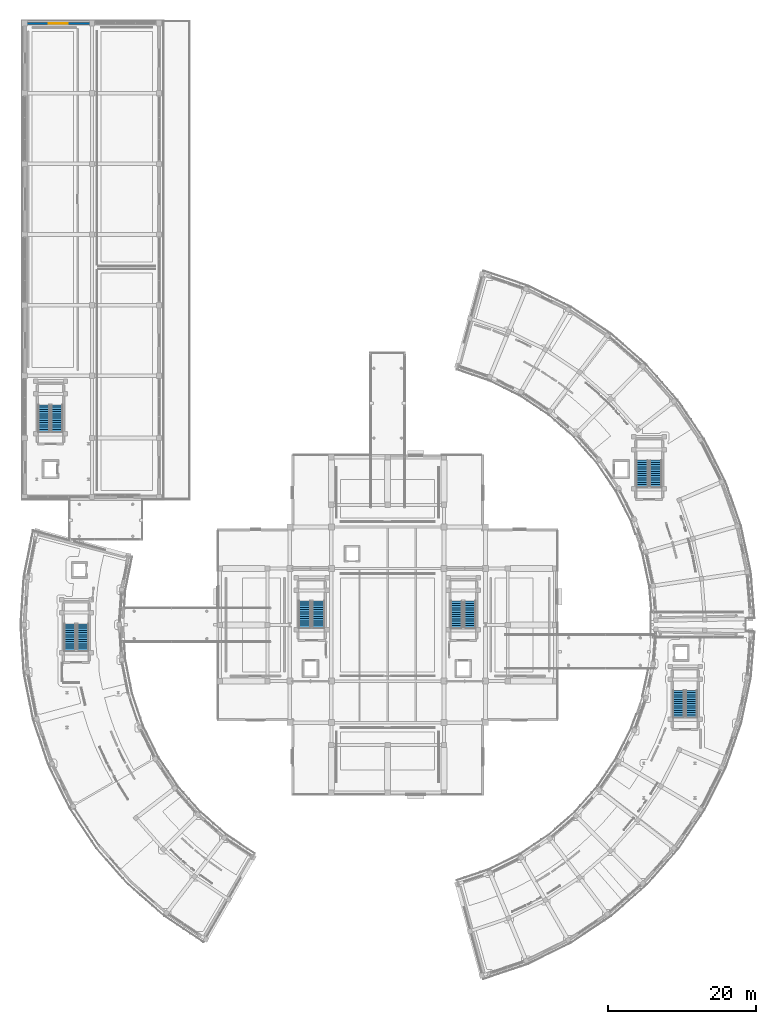
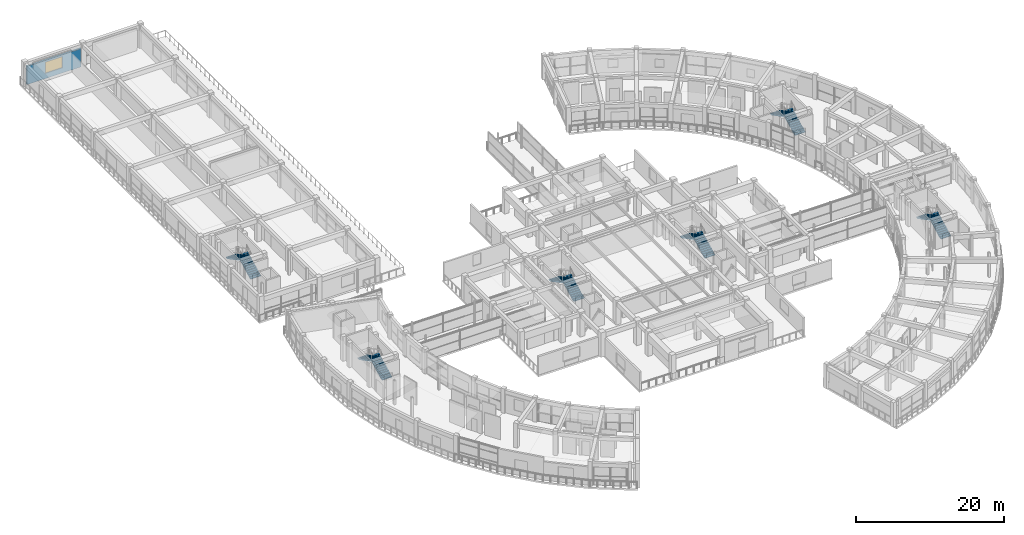
# One storey, part 54 of 70: 12 stair flights, 1 wall, 1 window, 1 opening, 6 elements without a shape of their own.
"""IFC4 building model written with IfcOpenShell, lengths in metres."""

from ifc_helpers import new_model, si_unit, direction, frame, frame_2d, origin, place, context, subcontext, project, spatial, polyline, rectangle, outline, extrude, material, layer, layer_set, type_object, element, fill, aggregate, save


model = new_model("IFC4")

# Units and contexts
model_context = context("Model", 3, precision=1e-05, world=origin(), true_north=direction((0.0, 1.0)))
body_context = subcontext(model_context, "Body", "Model", "MODEL_VIEW")
ifc_project = project(units=[si_unit("LENGTHUNIT", "METRE"), si_unit("AREAUNIT", "SQUARE_METRE"), si_unit("VOLUMEUNIT", "CUBIC_METRE"), si_unit("PLANEANGLEUNIT", "RADIAN"), si_unit("MASSUNIT", "GRAM", prefix="KILO")], contexts=[model_context])

# Site, building, storey
site_placement = place(None, origin())
site = spatial("IfcSite", under=ifc_project, at=site_placement, CompositionType="ELEMENT")
building_placement = place(site_placement, origin())
building = spatial("IfcBuilding", under=site, at=building_placement, Name="Saryqyr Civic Hall", CompositionType="ELEMENT")
storey_placement = place(building_placement, frame((0.0, 0.0, 13.199951171875)))
storey = spatial("IfcBuildingStorey", under=building, at=storey_placement, Name="L03", CompositionType="ELEMENT", Elevation=13.199951171875)

# Wall, opening, window
ifc_material_1 = material(Name="Precast concrete C40/50", Category="concrete")
ifc_layer = layer(ifc_material_1, 0.27001953125, Name="Precast concrete C40/50")
ifc_layer_set = layer_set([ifc_layer], Name="Precast concrete C40/50")
wall_type = type_object("IfcWallType", Name="ENV-WAL-EXT-270", PredefinedType="STANDARD", material=ifc_layer_set)
wall_placement = place(storey_placement, frame((8.3349609375, 165.14990234375, 0.0), z_axis=(0.0, 0.0, 1.0), x_axis=(1.0, 0.0, 0.0)))
wall = element("IfcWall", 1, at=wall_placement, inside=storey, type_object=wall_type, Name="Exterior wall V3-EW-L03-2-0", PredefinedType="STANDARD", context=body_context, shape_type="SweptSolid", body=[
    extrude(rectangle(XDim=8.47998046875, YDim=0.27001953125, at=frame_2d((4.239990234375, 0.0))), origin(), (0.0, 0.0, 1.0), 3.01513671875),
])
opening_placement = place(wall_placement, frame((2.93994140625, 0.0, 0.85009765625)))
opening = element("IfcOpeningElement", 2, at=opening_placement, cuts=wall, Name="Opening W-30", PredefinedType="OPENING", context=body_context, shape_type="SweptSolid", body=[
    extrude(rectangle(XDim=2.60009765625, YDim=1.85009765625, at=frame_2d((1.300048828125, 0.925048828125))), frame((0.0, 0.14501953125, 0.0), z_axis=(0.0, -1.0, 0.0), x_axis=(1.0, 0.0, 0.0)), (0.0, 0.0, 1.0), 0.2900390625),
])
ifc_material_2 = material(Name="Anodised aluminium and triple low-E glass", Category="aluminium")
window_type = type_object("IfcWindowType", Name="ENV-WIN-W30", PartitioningType="SINGLE_PANEL", PredefinedType="WINDOW", material=ifc_material_2)
window_placement = place(opening_placement, origin())
window = element("IfcWindow", 3, at=window_placement, inside=storey, type_object=window_type, Name="Library window L03-2-0", OverallHeight=1.85009765625, OverallWidth=2.60009765625, PartitioningType="SINGLE_PANEL", PredefinedType="WINDOW", context=body_context, shape_type="SweptSolid", body=[
    extrude(rectangle(XDim=2.60009765625, YDim=1.85009765625, at=frame_2d((1.300048828125, 0.925048828125))), frame((0.0, 0.030029296875, 0.0), z_axis=(0.0, -1.0, 0.0), x_axis=(1.0, 0.0, 0.0)), (0.0, 0.0, 1.0), 0.06005859375),
])
fill(opening, window)

# Stair, stair flights
ifc_material_3 = material(Name="Concrete C35/45", Category="concrete")
stair_type_1 = type_object("IfcStairType", Name="INT-STR-ST-1", PredefinedType="HALF_TURN_STAIR", material=ifc_material_3)
stair_1_placement = place(storey_placement, origin())
stair_1 = element("IfcStair", 4, at=stair_1_placement, inside=storey, type_object=stair_type_1, Name="L03 Protected Exit Stair ST-1", PredefinedType="HALF_TURN_STAIR")
stair_flight_type_1 = type_object("IfcStairFlightType", Name="INT-SFL-ST-1", PredefinedType="STRAIGHT", material=ifc_material_3)
stair_flight_1_placement = place(storey_placement, frame((47.675048828125, 83.64990234375, 0.0), z_axis=(0.0, 0.0, 1.0), x_axis=(0.0, 1.0, 0.0)))
stair_flight_1 = element("IfcStairFlight", 5, at=stair_flight_1_placement, type_object=stair_flight_type_1, Name="ST-1 flight 1", NumberOfRisers=13, NumberOfTreads=12, PredefinedType="STRAIGHT", RiserHeight=0.155769231, TreadLength=0.3, context=body_context, shape_type="SweptSolid", body=[
    extrude(outline(polyline([(0.0, 0.0), (0.0, 0.15576171875), (0.300048828125, 0.15576171875), (0.300048828125, 0.3115234375), (0.60009765625, 0.3115234375), (0.60009765625, 0.46728515625), (0.89990234375, 0.46728515625), (0.89990234375, 0.623046875), (1.199951171875, 0.623046875), (1.199951171875, 0.77880859375), (1.5, 0.77880859375), (1.5, 0.9345703125), (1.800048828125, 0.9345703125), (1.800048828125, 1.09033203125), (2.10009765625, 1.09033203125), (2.10009765625, 1.24609375), (2.39990234375, 1.24609375), (2.39990234375, 1.40185546875), (2.699951171875, 1.40185546875), (2.699951171875, 1.5576171875), (3.0, 1.5576171875), (3.0, 1.71337890625), (3.300048828125, 1.71337890625), (3.300048828125, 1.869140625), (3.60009765625, 1.869140625), (3.60009765625, 2.02490234375), (3.60009765625, 1.700439453125), (0.3251953125, 0.0), (0.0, 0.0)])), frame((0.0, 0.824951171875, 0.0), z_axis=(0.0, -1.0, 0.0), x_axis=(1.0, 0.0, 0.0)), (0.0, 0.0, 1.0), 1.64990234375),
])
stair_flight_2_placement = place(storey_placement, frame((45.824951171875, 87.25, 2.025146484375), z_axis=(0.0, 0.0, 1.0), x_axis=(0.0, -1.0, 0.0)))
stair_flight_2 = element("IfcStairFlight", 6, at=stair_flight_2_placement, type_object=stair_flight_type_1, Name="ST-1 flight 2", NumberOfRisers=13, NumberOfTreads=12, PredefinedType="STRAIGHT", RiserHeight=0.155769231, TreadLength=0.3, context=body_context, shape_type="SweptSolid", body=[
    extrude(outline(polyline([(0.0, 0.0), (0.0, 0.15576171875), (0.300048828125, 0.15576171875), (0.300048828125, 0.3115234375), (0.60009765625, 0.3115234375), (0.60009765625, 0.46728515625), (0.89990234375, 0.46728515625), (0.89990234375, 0.623046875), (1.199951171875, 0.623046875), (1.199951171875, 0.77880859375), (1.5, 0.77880859375), (1.5, 0.9345703125), (1.800048828125, 0.9345703125), (1.800048828125, 1.09033203125), (2.10009765625, 1.09033203125), (2.10009765625, 1.24609375), (2.39990234375, 1.24609375), (2.39990234375, 1.40185546875), (2.699951171875, 1.40185546875), (2.699951171875, 1.5576171875), (3.0, 1.5576171875), (3.0, 1.71337890625), (3.300048828125, 1.71337890625), (3.300048828125, 1.869140625), (3.60009765625, 1.869140625), (3.60009765625, 2.02490234375), (3.60009765625, 1.700439453125), (0.3251953125, 0.0), (0.0, 0.0)])), frame((0.0, 0.824951171875, 0.0), z_axis=(0.0, -1.0, 0.0), x_axis=(1.0, 0.0, 0.0)), (0.0, 0.0, 1.0), 1.64990234375),
])
aggregate(stair_1, [stair_flight_1, stair_flight_2])

stair_type_2 = type_object("IfcStairType", Name="INT-STR-ST-2", PredefinedType="HALF_TURN_STAIR", material=ifc_material_3)
stair_2_placement = place(storey_placement, origin())
stair_2 = element("IfcStair", 7, at=stair_2_placement, inside=storey, type_object=stair_type_2, Name="L03 Protected Exit Stair ST-2", PredefinedType="HALF_TURN_STAIR")
stair_flight_type_2 = type_object("IfcStairFlightType", Name="INT-SFL-ST-2", PredefinedType="STRAIGHT", material=ifc_material_3)
stair_flight_3_placement = place(storey_placement, frame((68.10009765625, 83.60009765625, 0.0), z_axis=(0.0, 0.0, 1.0), x_axis=(0.0, 1.0, 0.0)))
stair_flight_3 = element("IfcStairFlight", 8, at=stair_flight_3_placement, type_object=stair_flight_type_2, Name="ST-2 flight 1", NumberOfRisers=13, NumberOfTreads=12, PredefinedType="STRAIGHT", RiserHeight=0.155769231, TreadLength=0.3, context=body_context, shape_type="SweptSolid", body=[
    extrude(outline(polyline([(0.0, 0.0), (0.0, 0.15576171875), (0.300048828125, 0.15576171875), (0.300048828125, 0.3115234375), (0.60009765625, 0.3115234375), (0.60009765625, 0.46728515625), (0.89990234375, 0.46728515625), (0.89990234375, 0.623046875), (1.199951171875, 0.623046875), (1.199951171875, 0.77880859375), (1.5, 0.77880859375), (1.5, 0.9345703125), (1.800048828125, 0.9345703125), (1.800048828125, 1.09033203125), (2.10009765625, 1.09033203125), (2.10009765625, 1.24609375), (2.39990234375, 1.24609375), (2.39990234375, 1.40185546875), (2.699951171875, 1.40185546875), (2.699951171875, 1.5576171875), (3.0, 1.5576171875), (3.0, 1.71337890625), (3.300048828125, 1.71337890625), (3.300048828125, 1.869140625), (3.60009765625, 1.869140625), (3.60009765625, 2.02490234375), (3.60009765625, 1.700439453125), (0.3251953125, 0.0), (0.0, 0.0)])), frame((0.0, 0.800048828125, 0.0), z_axis=(0.0, -1.0, 0.0), x_axis=(1.0, 0.0, 0.0)), (0.0, 0.0, 1.0), 1.60009765625),
])
stair_flight_4_placement = place(storey_placement, frame((66.300048828125, 87.199951171875, 2.025146484375), z_axis=(0.0, 0.0, 1.0), x_axis=(0.0, -1.0, 0.0)))
stair_flight_4 = element("IfcStairFlight", 9, at=stair_flight_4_placement, type_object=stair_flight_type_2, Name="ST-2 flight 2", NumberOfRisers=13, NumberOfTreads=12, PredefinedType="STRAIGHT", RiserHeight=0.155769231, TreadLength=0.3, context=body_context, shape_type="SweptSolid", body=[
    extrude(outline(polyline([(0.0, 0.0), (0.0, 0.15576171875), (0.300048828125, 0.15576171875), (0.300048828125, 0.3115234375), (0.60009765625, 0.3115234375), (0.60009765625, 0.46728515625), (0.89990234375, 0.46728515625), (0.89990234375, 0.623046875), (1.199951171875, 0.623046875), (1.199951171875, 0.77880859375), (1.5, 0.77880859375), (1.5, 0.9345703125), (1.800048828125, 0.9345703125), (1.800048828125, 1.09033203125), (2.10009765625, 1.09033203125), (2.10009765625, 1.24609375), (2.39990234375, 1.24609375), (2.39990234375, 1.40185546875), (2.699951171875, 1.40185546875), (2.699951171875, 1.5576171875), (3.0, 1.5576171875), (3.0, 1.71337890625), (3.300048828125, 1.71337890625), (3.300048828125, 1.869140625), (3.60009765625, 1.869140625), (3.60009765625, 2.02490234375), (3.60009765625, 1.700439453125), (0.3251953125, 0.0), (0.0, 0.0)])), frame((0.0, 0.800048828125, 0.0), z_axis=(0.0, -1.0, 0.0), x_axis=(1.0, 0.0, 0.0)), (0.0, 0.0, 1.0), 1.60009765625),
])
aggregate(stair_2, [stair_flight_3, stair_flight_4])

stair_type_3 = type_object("IfcStairType", Name="INT-STR-ST-3", PredefinedType="HALF_TURN_STAIR", material=ifc_material_3)
stair_3_placement = place(storey_placement, origin())
stair_3 = element("IfcStair", 10, at=stair_3_placement, inside=storey, type_object=stair_type_3, Name="L03 Protected Exit Stair ST-3", PredefinedType="HALF_TURN_STAIR")
stair_flight_type_3 = type_object("IfcStairFlightType", Name="INT-SFL-ST-3", PredefinedType="STRAIGHT", material=ifc_material_3)
stair_flight_5_placement = place(storey_placement, frame((12.409912109375, 110.080078125, 0.0), z_axis=(0.0, 0.0, 1.0), x_axis=(0.0, 1.0, 0.0)))
stair_flight_5 = element("IfcStairFlight", 11, at=stair_flight_5_placement, type_object=stair_flight_type_3, Name="ST-3 flight 1", NumberOfRisers=13, NumberOfTreads=12, PredefinedType="STRAIGHT", RiserHeight=0.155769231, TreadLength=0.3, context=body_context, shape_type="SweptSolid", body=[
    extrude(outline(polyline([(0.0, 0.0), (0.0, 0.15576171875), (0.300048828125, 0.15576171875), (0.300048828125, 0.3115234375), (0.60009765625, 0.3115234375), (0.60009765625, 0.46728515625), (0.89990234375, 0.46728515625), (0.89990234375, 0.623046875), (1.199951171875, 0.623046875), (1.199951171875, 0.77880859375), (1.5, 0.77880859375), (1.5, 0.9345703125), (1.800048828125, 0.9345703125), (1.800048828125, 1.09033203125), (2.10009765625, 1.09033203125), (2.10009765625, 1.24609375), (2.39990234375, 1.24609375), (2.39990234375, 1.40185546875), (2.699951171875, 1.40185546875), (2.699951171875, 1.5576171875), (3.0, 1.5576171875), (3.0, 1.71337890625), (3.300048828125, 1.71337890625), (3.300048828125, 1.869140625), (3.60009765625, 1.869140625), (3.60009765625, 2.02490234375), (3.60009765625, 1.700439453125), (0.3251953125, 0.0), (0.0, 0.0)])), frame((0.0, 0.7900390625, 0.0), z_axis=(0.0, -1.0, 0.0), x_axis=(1.0, 0.0, 0.0)), (0.0, 0.0, 1.0), 1.580078125),
])
stair_flight_6_placement = place(storey_placement, frame((10.6298828125, 113.679931640625, 2.025146484375), z_axis=(0.0, 0.0, 1.0), x_axis=(0.0, -1.0, 0.0)))
stair_flight_6 = element("IfcStairFlight", 12, at=stair_flight_6_placement, type_object=stair_flight_type_3, Name="ST-3 flight 2", NumberOfRisers=13, NumberOfTreads=12, PredefinedType="STRAIGHT", RiserHeight=0.155769231, TreadLength=0.3, context=body_context, shape_type="SweptSolid", body=[
    extrude(outline(polyline([(0.0, 0.0), (0.0, 0.15576171875), (0.300048828125, 0.15576171875), (0.300048828125, 0.3115234375), (0.60009765625, 0.3115234375), (0.60009765625, 0.46728515625), (0.89990234375, 0.46728515625), (0.89990234375, 0.623046875), (1.199951171875, 0.623046875), (1.199951171875, 0.77880859375), (1.5, 0.77880859375), (1.5, 0.9345703125), (1.800048828125, 0.9345703125), (1.800048828125, 1.09033203125), (2.10009765625, 1.09033203125), (2.10009765625, 1.24609375), (2.39990234375, 1.24609375), (2.39990234375, 1.40185546875), (2.699951171875, 1.40185546875), (2.699951171875, 1.5576171875), (3.0, 1.5576171875), (3.0, 1.71337890625), (3.300048828125, 1.71337890625), (3.300048828125, 1.869140625), (3.60009765625, 1.869140625), (3.60009765625, 2.02490234375), (3.60009765625, 1.700439453125), (0.3251953125, 0.0), (0.0, 0.0)])), frame((0.0, 0.7900390625, 0.0), z_axis=(0.0, -1.0, 0.0), x_axis=(1.0, 0.0, 0.0)), (0.0, 0.0, 1.0), 1.580078125),
])
aggregate(stair_3, [stair_flight_5, stair_flight_6])

stair_type_4 = type_object("IfcStairType", Name="INT-STR-ST-4", PredefinedType="HALF_TURN_STAIR", material=ifc_material_3)
stair_4_placement = place(storey_placement, origin())
stair_4 = element("IfcStair", 13, at=stair_4_placement, inside=storey, type_object=stair_type_4, Name="L03 Protected Exit Stair ST-4", PredefinedType="HALF_TURN_STAIR")
stair_flight_type_4 = type_object("IfcStairFlightType", Name="INT-SFL-ST-4", PredefinedType="STRAIGHT", material=ifc_material_3)
stair_flight_7_placement = place(storey_placement, frame((15.875, 80.550048828125, 0.0), z_axis=(0.0, 0.0, 1.0), x_axis=(0.0, 1.0, 0.0)))
stair_flight_7 = element("IfcStairFlight", 14, at=stair_flight_7_placement, type_object=stair_flight_type_4, Name="ST-4 flight 1", NumberOfRisers=13, NumberOfTreads=12, PredefinedType="STRAIGHT", RiserHeight=0.155769231, TreadLength=0.3, context=body_context, shape_type="SweptSolid", body=[
    extrude(outline(polyline([(0.0, 0.0), (0.0, 0.15576171875), (0.300048828125, 0.15576171875), (0.300048828125, 0.3115234375), (0.60009765625, 0.3115234375), (0.60009765625, 0.46728515625), (0.89990234375, 0.46728515625), (0.89990234375, 0.623046875), (1.199951171875, 0.623046875), (1.199951171875, 0.77880859375), (1.5, 0.77880859375), (1.5, 0.9345703125), (1.800048828125, 0.9345703125), (1.800048828125, 1.09033203125), (2.10009765625, 1.09033203125), (2.10009765625, 1.24609375), (2.39990234375, 1.24609375), (2.39990234375, 1.40185546875), (2.699951171875, 1.40185546875), (2.699951171875, 1.5576171875), (3.0, 1.5576171875), (3.0, 1.71337890625), (3.300048828125, 1.71337890625), (3.300048828125, 1.869140625), (3.60009765625, 1.869140625), (3.60009765625, 2.02490234375), (3.60009765625, 1.700439453125), (0.3251953125, 0.0), (0.0, 0.0)])), frame((0.0, 0.77490234375, 0.0), z_axis=(0.0, -1.0, 0.0), x_axis=(1.0, 0.0, 0.0)), (0.0, 0.0, 1.0), 1.550048828125),
])
stair_flight_8_placement = place(storey_placement, frame((14.125, 84.14990234375, 2.025146484375), z_axis=(0.0, 0.0, 1.0), x_axis=(0.0, -1.0, 0.0)))
stair_flight_8 = element("IfcStairFlight", 15, at=stair_flight_8_placement, type_object=stair_flight_type_4, Name="ST-4 flight 2", NumberOfRisers=13, NumberOfTreads=12, PredefinedType="STRAIGHT", RiserHeight=0.155769231, TreadLength=0.3, context=body_context, shape_type="SweptSolid", body=[
    extrude(outline(polyline([(0.0, 0.0), (0.0, 0.15576171875), (0.300048828125, 0.15576171875), (0.300048828125, 0.3115234375), (0.60009765625, 0.3115234375), (0.60009765625, 0.46728515625), (0.89990234375, 0.46728515625), (0.89990234375, 0.623046875), (1.199951171875, 0.623046875), (1.199951171875, 0.77880859375), (1.5, 0.77880859375), (1.5, 0.9345703125), (1.800048828125, 0.9345703125), (1.800048828125, 1.09033203125), (2.10009765625, 1.09033203125), (2.10009765625, 1.24609375), (2.39990234375, 1.24609375), (2.39990234375, 1.40185546875), (2.699951171875, 1.40185546875), (2.699951171875, 1.5576171875), (3.0, 1.5576171875), (3.0, 1.71337890625), (3.300048828125, 1.71337890625), (3.300048828125, 1.869140625), (3.60009765625, 1.869140625), (3.60009765625, 2.02490234375), (3.60009765625, 1.700439453125), (0.3251953125, 0.0), (0.0, 0.0)])), frame((0.0, 0.77490234375, 0.0), z_axis=(0.0, -1.0, 0.0), x_axis=(1.0, 0.0, 0.0)), (0.0, 0.0, 1.0), 1.550048828125),
])
aggregate(stair_4, [stair_flight_7, stair_flight_8])

stair_type_5 = type_object("IfcStairType", Name="INT-STR-ST-5", PredefinedType="HALF_TURN_STAIR", material=ifc_material_3)
stair_5_placement = place(storey_placement, origin())
stair_5 = element("IfcStair", 16, at=stair_5_placement, inside=storey, type_object=stair_type_5, Name="L03 Protected Exit Stair ST-5", PredefinedType="HALF_TURN_STAIR")
stair_flight_type_5 = type_object("IfcStairFlightType", Name="INT-SFL-ST-5", PredefinedType="STRAIGHT", material=ifc_material_3)
stair_flight_9_placement = place(storey_placement, frame((98.02001953125, 71.56005859375, 0.0), z_axis=(0.0, 0.0, 1.0), x_axis=(0.0, 1.0, 0.0)))
stair_flight_9 = element("IfcStairFlight", 17, at=stair_flight_9_placement, type_object=stair_flight_type_5, Name="ST-5 flight 1", NumberOfRisers=13, NumberOfTreads=12, PredefinedType="STRAIGHT", RiserHeight=0.155769231, TreadLength=0.3, context=body_context, shape_type="SweptSolid", body=[
    extrude(outline(polyline([(0.0, 0.0), (0.0, 0.15576171875), (0.300048828125, 0.15576171875), (0.300048828125, 0.3115234375), (0.60009765625, 0.3115234375), (0.60009765625, 0.46728515625), (0.89990234375, 0.46728515625), (0.89990234375, 0.623046875), (1.199951171875, 0.623046875), (1.199951171875, 0.77880859375), (1.5, 0.77880859375), (1.5, 0.9345703125), (1.800048828125, 0.9345703125), (1.800048828125, 1.09033203125), (2.10009765625, 1.09033203125), (2.10009765625, 1.24609375), (2.39990234375, 1.24609375), (2.39990234375, 1.40185546875), (2.699951171875, 1.40185546875), (2.699951171875, 1.5576171875), (3.0, 1.5576171875), (3.0, 1.71337890625), (3.300048828125, 1.71337890625), (3.300048828125, 1.869140625), (3.60009765625, 1.869140625), (3.60009765625, 2.02490234375), (3.60009765625, 1.700439453125), (0.3251953125, 0.0), (0.0, 0.0)])), frame((0.0, 0.780029296875, 0.0), z_axis=(0.0, -1.0, 0.0), x_axis=(1.0, 0.0, 0.0)), (0.0, 0.0, 1.0), 1.56005859375),
])
stair_flight_10_placement = place(storey_placement, frame((96.260009765625, 75.159912109375, 2.025146484375), z_axis=(0.0, 0.0, 1.0), x_axis=(0.0, -1.0, 0.0)))
stair_flight_10 = element("IfcStairFlight", 18, at=stair_flight_10_placement, type_object=stair_flight_type_5, Name="ST-5 flight 2", NumberOfRisers=13, NumberOfTreads=12, PredefinedType="STRAIGHT", RiserHeight=0.155769231, TreadLength=0.3, context=body_context, shape_type="SweptSolid", body=[
    extrude(outline(polyline([(0.0, 0.0), (0.0, 0.15576171875), (0.300048828125, 0.15576171875), (0.300048828125, 0.3115234375), (0.60009765625, 0.3115234375), (0.60009765625, 0.46728515625), (0.89990234375, 0.46728515625), (0.89990234375, 0.623046875), (1.199951171875, 0.623046875), (1.199951171875, 0.77880859375), (1.5, 0.77880859375), (1.5, 0.9345703125), (1.800048828125, 0.9345703125), (1.800048828125, 1.09033203125), (2.10009765625, 1.09033203125), (2.10009765625, 1.24609375), (2.39990234375, 1.24609375), (2.39990234375, 1.40185546875), (2.699951171875, 1.40185546875), (2.699951171875, 1.5576171875), (3.0, 1.5576171875), (3.0, 1.71337890625), (3.300048828125, 1.71337890625), (3.300048828125, 1.869140625), (3.60009765625, 1.869140625), (3.60009765625, 2.02490234375), (3.60009765625, 1.700439453125), (0.3251953125, 0.0), (0.0, 0.0)])), frame((0.0, 0.780029296875, 0.0), z_axis=(0.0, -1.0, 0.0), x_axis=(1.0, 0.0, 0.0)), (0.0, 0.0, 1.0), 1.56005859375),
])
aggregate(stair_5, [stair_flight_9, stair_flight_10])

stair_type_6 = type_object("IfcStairType", Name="INT-STR-ST-6", PredefinedType="HALF_TURN_STAIR", material=ifc_material_3)
stair_6_placement = place(storey_placement, origin())
stair_6 = element("IfcStair", 19, at=stair_6_placement, inside=storey, type_object=stair_type_6, Name="L03 Protected Exit Stair ST-6", PredefinedType="HALF_TURN_STAIR")
stair_flight_type_6 = type_object("IfcStairFlightType", Name="INT-SFL-ST-6", PredefinedType="STRAIGHT", material=ifc_material_3)
stair_flight_11_placement = place(storey_placement, frame((93.18994140625, 102.6201171875, 0.0), z_axis=(0.0, 0.0, 1.0), x_axis=(0.0, 1.0, 0.0)))
stair_flight_11 = element("IfcStairFlight", 20, at=stair_flight_11_placement, type_object=stair_flight_type_6, Name="ST-6 flight 1", NumberOfRisers=13, NumberOfTreads=12, PredefinedType="STRAIGHT", RiserHeight=0.155769231, TreadLength=0.3, context=body_context, shape_type="SweptSolid", body=[
    extrude(outline(polyline([(0.0, 0.0), (0.0, 0.15576171875), (0.300048828125, 0.15576171875), (0.300048828125, 0.3115234375), (0.60009765625, 0.3115234375), (0.60009765625, 0.46728515625), (0.89990234375, 0.46728515625), (0.89990234375, 0.623046875), (1.199951171875, 0.623046875), (1.199951171875, 0.77880859375), (1.5, 0.77880859375), (1.5, 0.9345703125), (1.800048828125, 0.9345703125), (1.800048828125, 1.09033203125), (2.10009765625, 1.09033203125), (2.10009765625, 1.24609375), (2.39990234375, 1.24609375), (2.39990234375, 1.40185546875), (2.699951171875, 1.40185546875), (2.699951171875, 1.5576171875), (3.0, 1.5576171875), (3.0, 1.71337890625), (3.300048828125, 1.71337890625), (3.300048828125, 1.869140625), (3.60009765625, 1.869140625), (3.60009765625, 2.02490234375), (3.60009765625, 1.700439453125), (0.3251953125, 0.0), (0.0, 0.0)])), frame((0.0, 0.81005859375, 0.0), z_axis=(0.0, -1.0, 0.0), x_axis=(1.0, 0.0, 0.0)), (0.0, 0.0, 1.0), 1.6201171875),
])
stair_flight_12_placement = place(storey_placement, frame((91.3701171875, 106.219970703125, 2.025146484375), z_axis=(0.0, 0.0, 1.0), x_axis=(0.0, -1.0, 0.0)))
stair_flight_12 = element("IfcStairFlight", 21, at=stair_flight_12_placement, type_object=stair_flight_type_6, Name="ST-6 flight 2", NumberOfRisers=13, NumberOfTreads=12, PredefinedType="STRAIGHT", RiserHeight=0.155769231, TreadLength=0.3, context=body_context, shape_type="SweptSolid", body=[
    extrude(outline(polyline([(0.0, 0.0), (0.0, 0.15576171875), (0.300048828125, 0.15576171875), (0.300048828125, 0.3115234375), (0.60009765625, 0.3115234375), (0.60009765625, 0.46728515625), (0.89990234375, 0.46728515625), (0.89990234375, 0.623046875), (1.199951171875, 0.623046875), (1.199951171875, 0.77880859375), (1.5, 0.77880859375), (1.5, 0.9345703125), (1.800048828125, 0.9345703125), (1.800048828125, 1.09033203125), (2.10009765625, 1.09033203125), (2.10009765625, 1.24609375), (2.39990234375, 1.24609375), (2.39990234375, 1.40185546875), (2.699951171875, 1.40185546875), (2.699951171875, 1.5576171875), (3.0, 1.5576171875), (3.0, 1.71337890625), (3.300048828125, 1.71337890625), (3.300048828125, 1.869140625), (3.60009765625, 1.869140625), (3.60009765625, 2.02490234375), (3.60009765625, 1.700439453125), (0.3251953125, 0.0), (0.0, 0.0)])), frame((0.0, 0.81005859375, 0.0), z_axis=(0.0, -1.0, 0.0), x_axis=(1.0, 0.0, 0.0)), (0.0, 0.0, 1.0), 1.6201171875),
])
aggregate(stair_6, [stair_flight_11, stair_flight_12])

save(model, "model.ifc")
